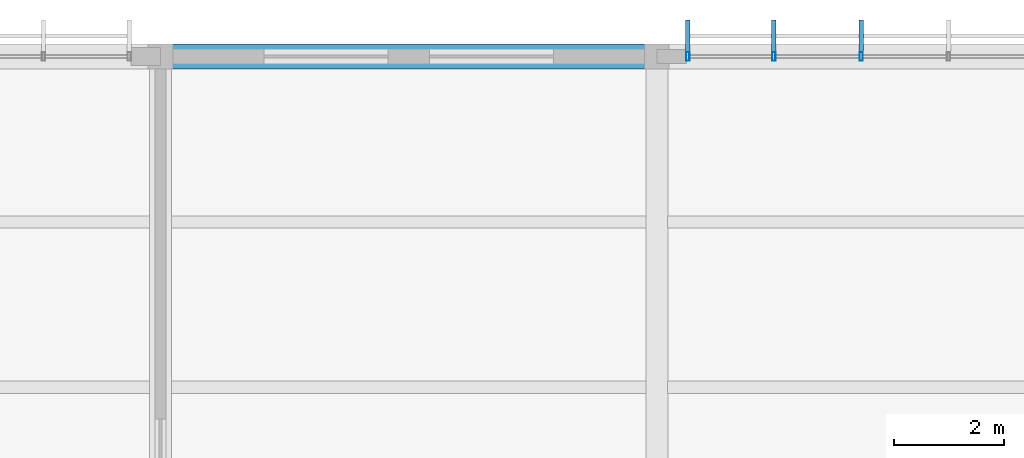
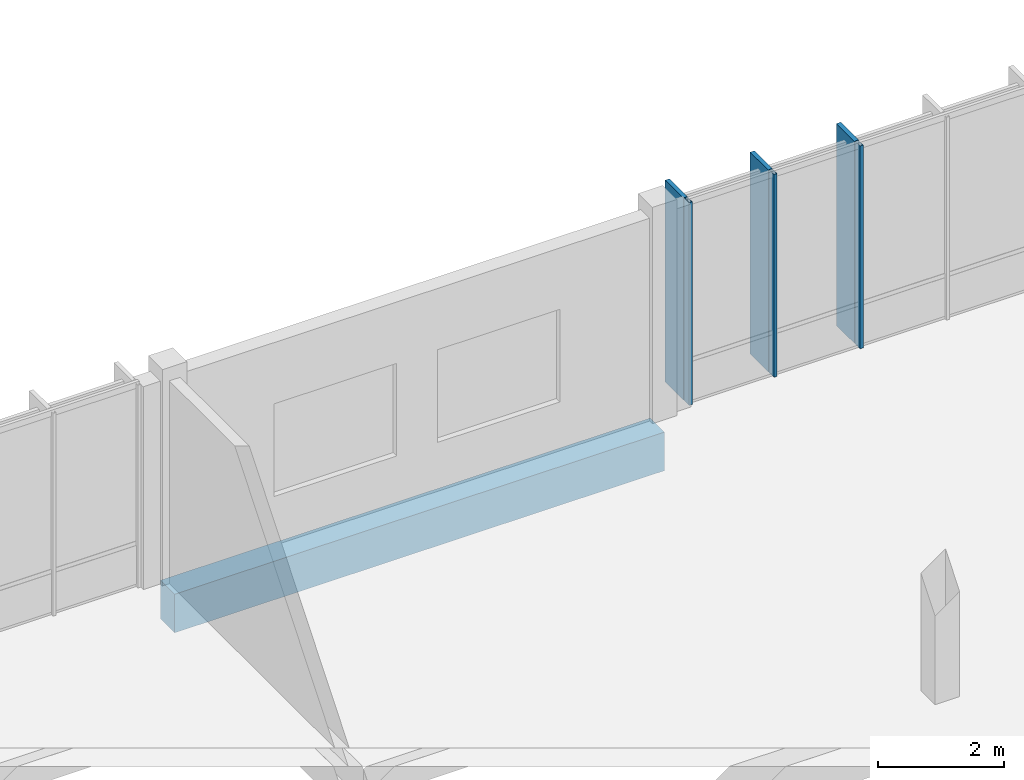
# One storey, part 68 of 94: 6 members, 1 beam, 1 element without a shape of its own.
"""IFC4 building model written with IfcOpenShell, lengths in metres."""

import ifcopenshell
import ifcopenshell.guid

model = None  # the IFC model being written
_history = None  # IfcOwnerHistory: only IFC2X3 demands one
_inside = {}  # id of a spatial element -> (the spatial element, [elements in it])
_under = {}  # id of a project, library or spatial element -> (it, [spatial elements below it])
_declared = {}  # id of a project -> (the project, [libraries it declares])
_typed = {}  # id of a type object -> (the type object, [elements of that type])
_made_of = {}  # id of a material, layer set ... -> (it, [elements and type objects made of it])


def new_model(schema):
    """Start an empty IFC model of exactly this schema.

    Asked for "IFC4X3", IfcOpenShell would pick the latest addendum, in which some entities
    have other attributes; the version numbers below select the first issue.
    IFC2X3 requires an IfcOwnerHistory on every rooted entity: one is made here for all.
    """
    global model, _history
    if schema == "IFC4X3":
        model = ifcopenshell.file(schema_version=(4, 3, 0, 0))
    else:
        model = ifcopenshell.file(schema=schema)
    _inside.clear()
    _under.clear()
    _declared.clear()
    _typed.clear()
    _made_of.clear()
    _history = None
    if model.schema == "IFC2X3":
        org = make("IfcOrganization", Name="unknown")
        user = make(
            "IfcPersonAndOrganization",
            ThePerson=make("IfcPerson", FamilyName="unknown"),
            TheOrganization=org,
        )
        app = make(
            "IfcApplication",
            ApplicationDeveloper=org,
            Version="unknown",
            ApplicationFullName="unknown",
            ApplicationIdentifier="unknown",
        )
        _history = make(
            "IfcOwnerHistory",
            OwningUser=user,
            OwningApplication=app,
            ChangeAction="ADDED",
            CreationDate=0,
        )
    return model


def make(cls, **values):
    """One entity of the class cls with the attributes given. An attribute that is None is left unset."""
    return model.create_entity(
        cls, **{name: value for name, value in values.items() if value is not None}
    )


def rooted(cls, **values):
    """An entity with a GlobalId (a new one), such as an element, a storey or a relation."""
    return make(cls, GlobalId=ifcopenshell.guid.new(), OwnerHistory=_history, **values)


def si_unit(unit_type, name, prefix=None):
    """IfcSIUnit, for example si_unit("LENGTHUNIT", "METRE", prefix="MILLI")."""
    return make("IfcSIUnit", UnitType=unit_type, Prefix=prefix, Name=name)


def assignment(units):
    """IfcUnitAssignment: the units of a project."""
    return None if units is None else make("IfcUnitAssignment", Units=units)


def point(xyz):
    """IfcCartesianPoint."""
    return None if xyz is None else make("IfcCartesianPoint", Coordinates=xyz)


def direction(xyz):
    """IfcDirection."""
    return None if xyz is None else make("IfcDirection", DirectionRatios=xyz)


def frame(location, z_axis=None, x_axis=None):
    """IfcAxis2Placement3D, a coordinate frame: its origin and axes. An axis left out is left unset."""
    return make(
        "IfcAxis2Placement3D",
        Location=point(location),
        Axis=direction(z_axis),
        RefDirection=direction(x_axis),
    )


def frame_2d(location, x_axis=None):
    """IfcAxis2Placement2D, a coordinate frame in the plane: its origin and x axis."""
    return make(
        "IfcAxis2Placement2D", Location=point(location), RefDirection=direction(x_axis)
    )


def origin():
    """The frame at (0, 0, 0) with its axes left unset."""
    return frame((0.0, 0.0, 0.0))


def origin_2d():
    """The frame at (0, 0) in the plane with its x axis left unset."""
    return frame_2d((0.0, 0.0))


def place(relative_to, where):
    """IfcLocalPlacement: puts the frame where relative to a parent placement (None: the world)."""
    return make(
        "IfcLocalPlacement", PlacementRelTo=relative_to, RelativePlacement=where
    )


def context(
    kind, dimensions, precision=None, world=None, true_north=None, identifier=None
):
    """IfcGeometricRepresentationContext, for example the 3D "Model" context."""
    return make(
        "IfcGeometricRepresentationContext",
        ContextIdentifier=identifier,
        ContextType=kind,
        CoordinateSpaceDimension=dimensions,
        Precision=precision,
        WorldCoordinateSystem=world,
        TrueNorth=true_north,
    )


def subcontext(parent, identifier, kind, view, scale=None):
    """IfcGeometricRepresentationSubContext, for example "Body" below "Model"."""
    return make(
        "IfcGeometricRepresentationSubContext",
        ContextIdentifier=identifier,
        ContextType=kind,
        ParentContext=parent,
        TargetScale=scale,
        TargetView=view,
    )


def project(units=None, contexts=None):
    """IfcProject with its units and contexts."""
    return rooted(
        "IfcProject",
        Name="project",
        RepresentationContexts=contexts,
        UnitsInContext=assignment(units),
    )


def spatial(cls, under=None, at=None, **own):
    """A site, building, storey or space (cls), placed at a placement, below another one or the project."""
    s = rooted(cls, ObjectPlacement=at, **own)
    if under is not None:
        _under.setdefault(under.id(), (under, []))[1].append(s)
    return s


def profile(cls, at=None, kind="AREA", **sizes):
    """A parametric profile (cls). Its sizes go by their IFC names, for example OverallWidth=200.0."""
    return make(cls, ProfileType=kind, Position=at, **sizes)


def rectangle(**sizes):
    """IfcRectangleProfileDef."""
    return profile("IfcRectangleProfileDef", **sizes)


def hollow_rectangle(**sizes):
    """IfcRectangleHollowProfileDef."""
    return profile("IfcRectangleHollowProfileDef", **sizes)


def extrude(swept, where, along, depth):
    """IfcExtrudedAreaSolid: the profile swept, set in the frame where, extruded along a direction by depth."""
    return make(
        "IfcExtrudedAreaSolid",
        SweptArea=swept,
        Position=where,
        ExtrudedDirection=direction(along),
        Depth=depth,
    )


def shape(context_of_items, identifier, shape_type, items):
    """IfcShapeRepresentation: the items that make up one representation, for example the "Body"."""
    return make(
        "IfcShapeRepresentation",
        ContextOfItems=context_of_items,
        RepresentationIdentifier=identifier,
        RepresentationType=shape_type,
        Items=items,
    )


def material(Name=None, Category=None):
    """IfcMaterial."""
    return make("IfcMaterial", Name=Name, Category=Category)


def material_profile(
    of_material, cross_section, Name=None, Category=None, Priority=None
):
    """IfcMaterialProfile: a cross section and its material."""
    return make(
        "IfcMaterialProfile",
        Name=Name,
        Material=of_material,
        Profile=cross_section,
        Priority=Priority,
        Category=Category,
    )


def profile_set(profiles, Name=None, composite=None):
    """IfcMaterialProfileSet."""
    return make(
        "IfcMaterialProfileSet",
        Name=Name,
        MaterialProfiles=profiles,
        CompositeProfile=composite,
    )


def made_of(thing, what):
    """Note that an element or type object is made of a material, layer set ...; save() writes the relation."""
    if what is not None:
        _made_of.setdefault(what.id(), (what, []))[1].append(thing)
    return thing


def type_object(cls, material=None, **own):
    """A type object (cls), such as IfcWallType, which elements share."""
    return made_of(rooted(cls, **own), material)


def element(
    cls,
    number,
    at=None,
    inside=None,
    cuts=None,
    type_object=None,
    material=None,
    context=None,
    identifier="Body",
    shape_type=None,
    held_by="IfcProductDefinitionShape",
    body=None,
    shapes=None,
    **own,
):
    """One element of the class cls, such as IfcWall. Its Tag is "e" and its number.

    at: its placement. inside: the storey or other place that contains it. cuts: it is an
    opening in that element (IfcRelVoidsElement). A single representation is given by context,
    identifier, shape_type and body (its items); several are given by shapes. held_by: the class
    of the entity that holds the representations. save() writes the other relations.
    """
    e = rooted(cls, Tag="e%d" % number, ObjectPlacement=at, **own)
    if body is not None:
        shapes = [shape(context, identifier, shape_type, body)]
    if shapes is not None:
        e.Representation = make(held_by, Representations=shapes)
    if inside is not None:
        _inside.setdefault(inside.id(), (inside, []))[1].append(e)
    if cuts is not None:
        rooted(
            "IfcRelVoidsElement", RelatingBuildingElement=cuts, RelatedOpeningElement=e
        )
    if type_object is not None:
        _typed.setdefault(type_object.id(), (type_object, []))[1].append(e)
    return made_of(e, material)


def aggregate(whole, parts):
    """IfcRelAggregates: a whole, such as a stair, and the parts it consists of."""
    return rooted("IfcRelAggregates", RelatingObject=whole, RelatedObjects=parts)


def save(model, path):
    """Write the relations noted so far, then the file.

    IfcRelAggregates (storeys below a building ...), IfcRelContainedInSpatialStructure (elements
    in a storey), IfcRelDefinesByType, IfcRelAssociatesMaterial and IfcRelDeclares: one each for
    every whole, place, type object, material and project.
    """
    for whole, parts in _under.values():
        aggregate(whole, parts)
    for where, things in _inside.values():
        rooted(
            "IfcRelContainedInSpatialStructure",
            RelatedElements=things,
            RelatingStructure=where,
        )
    for kind, things in _typed.values():
        rooted("IfcRelDefinesByType", RelatedObjects=things, RelatingType=kind)
    for what, things in _made_of.values():
        rooted("IfcRelAssociatesMaterial", RelatedObjects=things, RelatingMaterial=what)
    for by, libraries in _declared.values():
        rooted("IfcRelDeclares", RelatingContext=by, RelatedDefinitions=libraries)
    model.write(path)


model = new_model("IFC4")

# Units and contexts
model_context = context("Model", 3, precision=1e-05, world=origin(), true_north=direction((0.0, 1.0)))
body_context = subcontext(model_context, "Body", "Model", "MODEL_VIEW")
ifc_project = project(units=[si_unit("LENGTHUNIT", "METRE"), si_unit("AREAUNIT", "SQUARE_METRE"), si_unit("VOLUMEUNIT", "CUBIC_METRE"), si_unit("PLANEANGLEUNIT", "RADIAN"), si_unit("MASSUNIT", "GRAM", prefix="KILO")], contexts=[model_context])

# Site, building, storey
site_placement = place(None, origin())
site = spatial("IfcSite", under=ifc_project, at=site_placement, CompositionType="ELEMENT")
building_placement = place(site_placement, origin())
building = spatial("IfcBuilding", under=site, at=building_placement, Name="Chiffa Square Polytechnic", CompositionType="ELEMENT")
storey_placement = place(building_placement, frame((0.0, 0.0, 18.0)))
storey = spatial("IfcBuildingStorey", under=building, at=storey_placement, Name="L04", CompositionType="ELEMENT", Elevation=18.0)

# Beam
ifc_material_1 = material(Name="Concrete C35/45", Category="concrete")
ifc_material_profile_1 = material_profile(ifc_material_1, rectangle(XDim=0.449951171875, YDim=0.75, at=origin_2d()), Name="RC 450x750")
ifc_profile_set_1 = profile_set([ifc_material_profile_1], Name="Concrete C35/45")
beam_type = type_object("IfcBeamType", Name="BM-RC-450X750", PredefinedType="BEAM", material=ifc_profile_set_1)
beam_placement = place(storey_placement, frame((84.60009765625, 130.800048828125, -0.614990234375), z_axis=(1.0, 0.0, 0.0), x_axis=(0.0, 1.0, 0.0)))
element("IfcBeam", 1, at=beam_placement, inside=storey, type_object=beam_type, Name="Primary floor girder BM-V5-L04-X-0846-1308", PredefinedType="BEAM", context=body_context, shape_type="SweptSolid", body=[
    extrude(rectangle(XDim=0.449951171875, YDim=0.75, at=origin_2d()), origin(), (0.0, 0.0, 1.0), 9.0),
])

# Curtain wall, members
ifc_material_2 = material(Name="Aluminium EN AW-6060 T66 and glulam shading", Category="wood")
curtain_wall_type = type_object("IfcCurtainWallType", Name="CW-VERT-300X380", PredefinedType="USERDEFINED", material=ifc_material_2)
curtain_wall_placement = place(storey_placement, origin())
curtain_wall = element("IfcCurtainWall", 2, at=curtain_wall_placement, inside=storey, type_object=curtain_wall_type, Name="Curtain wall CW-V5-L04-243", ObjectType="CURTAIN WALL", PredefinedType="USERDEFINED")
ifc_material_3 = material(Name="Aluminium EN AW-6060 T66", Category="aluminium")
ifc_material_profile_2 = material_profile(ifc_material_3, hollow_rectangle(XDim=0.06005859375, YDim=0.159912109375, WallThickness=0.00390625, at=origin_2d()), Name="ALU 60x160x4")
ifc_profile_set_2 = profile_set([ifc_material_profile_2], Name="Aluminium EN AW-6060 T66")
member_type_1 = type_object("IfcMemberType", Name="CWM-ALU-65X150", PredefinedType="MULLION", material=ifc_profile_set_2)
member_1_placement = place(storey_placement, frame((97.30810546875, 130.800048828125, 0.0), z_axis=(0.0, 0.0, 1.0), x_axis=(1.0, 0.0, 0.0)))
member_1 = element("IfcMember", 3, at=member_1_placement, type_object=member_type_1, Name="Curtain wall mullion CW-V5-L04-243-M03", PredefinedType="MULLION", context=body_context, shape_type="SweptSolid", body=[
    extrude(hollow_rectangle(XDim=0.06005859375, YDim=0.159912109375, WallThickness=0.00390625, at=origin_2d()), origin(), (0.0, 0.0, 1.0), 3.93994140625),
])
member_2_placement = place(storey_placement, frame((95.72412109375, 130.800048828125, 0.0), z_axis=(0.0, 0.0, 1.0), x_axis=(1.0, 0.0, 0.0)))
member_2 = element("IfcMember", 4, at=member_2_placement, type_object=member_type_1, Name="Curtain wall mullion CW-V5-L04-243-M04", PredefinedType="MULLION", context=body_context, shape_type="SweptSolid", body=[
    extrude(hollow_rectangle(XDim=0.06005859375, YDim=0.159912109375, WallThickness=0.00390625, at=origin_2d()), origin(), (0.0, 0.0, 1.0), 3.93994140625),
])
member_3_placement = place(storey_placement, frame((94.1650390625, 130.800048828125, 0.0), z_axis=(0.0, 0.0, 1.0), x_axis=(1.0, 0.0, 0.0)))
member_3 = element("IfcMember", 5, at=member_3_placement, type_object=member_type_1, Name="Curtain wall mullion CW-V5-L04-243-M05", PredefinedType="MULLION", context=body_context, shape_type="SweptSolid", body=[
    extrude(hollow_rectangle(XDim=0.06005859375, YDim=0.159912109375, WallThickness=0.00390625, at=origin_2d()), origin(), (0.0, 0.0, 1.0), 3.93994140625),
])
ifc_material_4 = material(Name="Glulam GL28h", Category="wood")
ifc_material_profile_3 = material_profile(ifc_material_4, rectangle(XDim=0.080078125, YDim=0.580078125, at=origin_2d()), Name="GL28h 80x580")
ifc_profile_set_3 = profile_set([ifc_material_profile_3], Name="Glulam GL28h")
member_type_2 = type_object("IfcMemberType", Name="CWM-GL-80X580", PredefinedType="MULLION", material=ifc_profile_set_3)
member_4_placement = place(storey_placement, frame((97.30810546875, 131.172119140625, 0.010009765625), z_axis=(0.0, 0.0, 1.0), x_axis=(-1.0, 0.0, 0.0)))
member_4 = element("IfcMember", 6, at=member_4_placement, type_object=member_type_2, Name="Exterior glulam solar fin CW-V5-L04-243-FN03", PredefinedType="MULLION", context=body_context, shape_type="SweptSolid", body=[
    extrude(rectangle(XDim=0.080078125, YDim=0.580078125, at=origin_2d()), origin(), (0.0, 0.0, 1.0), 3.919921875),
])
member_5_placement = place(storey_placement, frame((95.72412109375, 131.172119140625, 0.010009765625), z_axis=(0.0, 0.0, 1.0), x_axis=(-1.0, 0.0, 0.0)))
member_5 = element("IfcMember", 7, at=member_5_placement, type_object=member_type_2, Name="Exterior glulam solar fin CW-V5-L04-243-FN04", PredefinedType="MULLION", context=body_context, shape_type="SweptSolid", body=[
    extrude(rectangle(XDim=0.080078125, YDim=0.580078125, at=origin_2d()), origin(), (0.0, 0.0, 1.0), 3.919921875),
])
member_6_placement = place(storey_placement, frame((94.1650390625, 131.172119140625, 0.010009765625), z_axis=(0.0, 0.0, 1.0), x_axis=(-1.0, 0.0, 0.0)))
member_6 = element("IfcMember", 8, at=member_6_placement, type_object=member_type_2, Name="Exterior glulam solar fin CW-V5-L04-243-FN05", PredefinedType="MULLION", context=body_context, shape_type="SweptSolid", body=[
    extrude(rectangle(XDim=0.080078125, YDim=0.580078125, at=origin_2d()), origin(), (0.0, 0.0, 1.0), 3.919921875),
])
aggregate(curtain_wall, [member_1, member_4, member_2, member_5, member_3, member_6])

save(model, "model.ifc")
